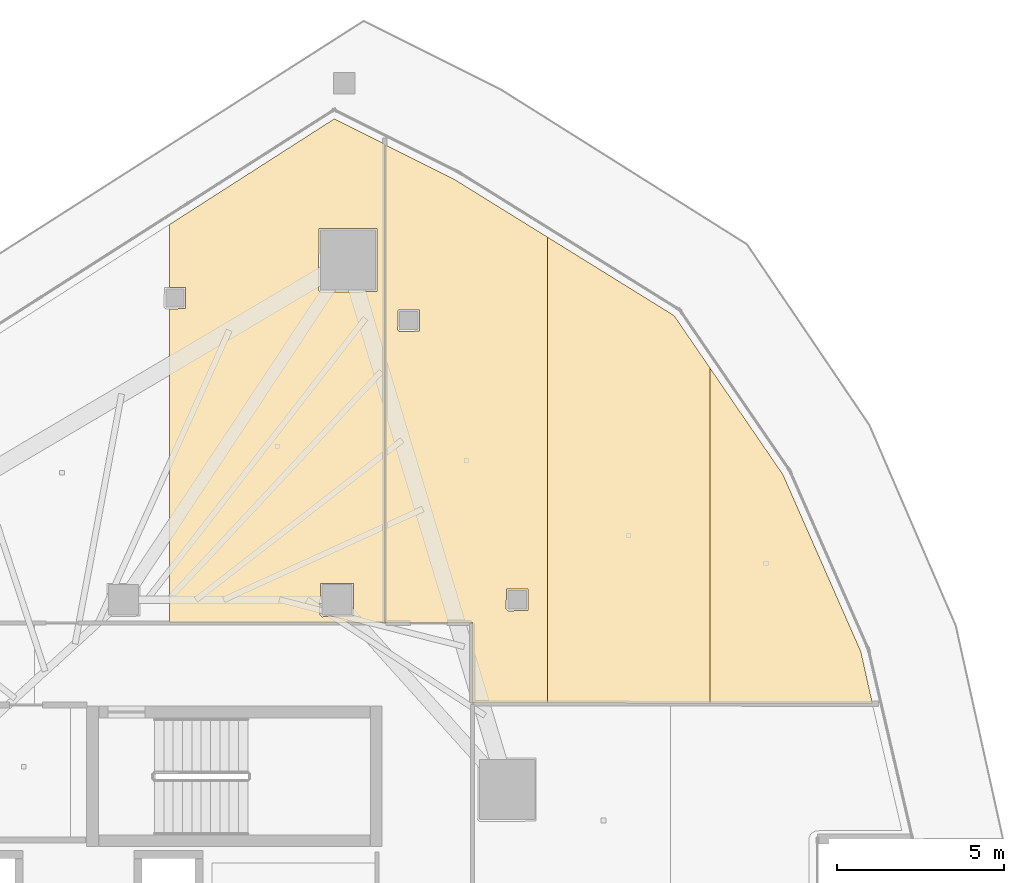
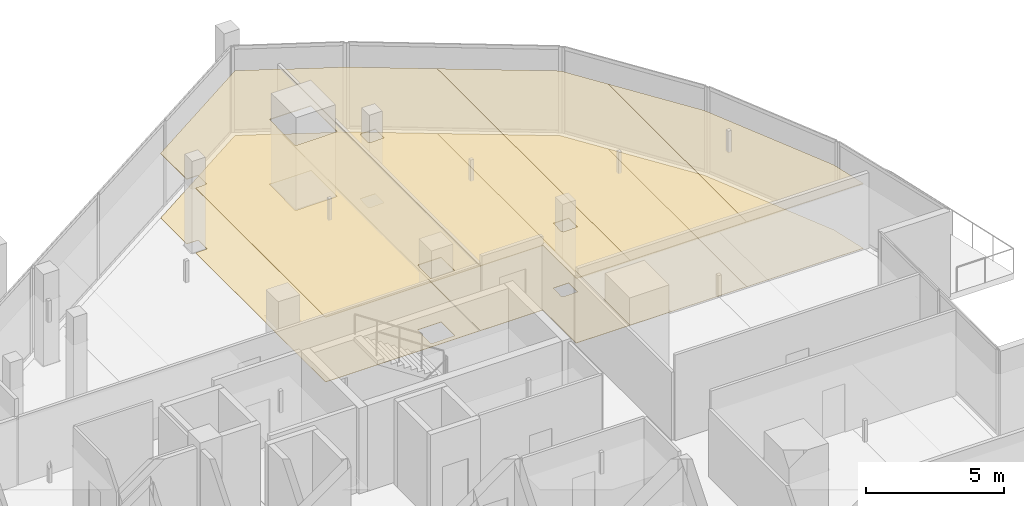
# One storey, part 30 of 30: 8 coverings.
"""IFC4 building model written with IfcOpenShell, lengths in metres."""

from ifc_helpers import new_model, si_unit, direction, frame, origin, place, context, subcontext, project, spatial, polyline, outline, extrude, material, layer, layer_set, type_object, element, save


model = new_model("IFC4")

# Units and contexts
model_context = context("Model", 3, precision=1e-05, world=origin(), true_north=direction((0.0, 1.0)))
body_context = subcontext(model_context, "Body", "Model", "MODEL_VIEW")
ifc_project = project(units=[si_unit("LENGTHUNIT", "METRE"), si_unit("AREAUNIT", "SQUARE_METRE"), si_unit("VOLUMEUNIT", "CUBIC_METRE"), si_unit("PLANEANGLEUNIT", "RADIAN"), si_unit("MASSUNIT", "GRAM", prefix="KILO")], contexts=[model_context])

# Site, building, storey
site_placement = place(None, origin())
site = spatial("IfcSite", under=ifc_project, at=site_placement, CompositionType="ELEMENT")
building_placement = place(site_placement, origin())
building = spatial("IfcBuilding", under=site, at=building_placement, Name="Qorvath Tower", CompositionType="ELEMENT")
storey_placement = place(building_placement, frame((0.0, 0.0, 217.199951171875)))
storey = spatial("IfcBuildingStorey", under=building, at=storey_placement, Name="L50", CompositionType="ELEMENT", Elevation=217.199951171875)

# Coverings
ifc_material_1 = material(Name="Acoustic mineral fibre ceiling tile", Category="gypsum")
ifc_layer_1 = layer(ifc_material_1, 0.030029296875)
ifc_layer_set_1 = layer_set([ifc_layer_1], Name="COV-CEIL")
covering_type_1 = type_object("IfcCoveringType", Name="COV-CEIL", PredefinedType="CEILING", material=ifc_layer_set_1)
covering_1_placement = place(storey_placement, frame((0.0, 0.0, 2.85009765625)))
element("IfcCovering", 1, at=covering_1_placement, inside=storey, type_object=covering_type_1, Name="L50 Suspended Acoustic Ceiling 015", PredefinedType="CEILING", context=body_context, shape_type="SweptSolid", body=[
    extrude(outline(polyline([(-15.774658203125, 25.11083984375), (-17.2822265625, 25.859375), (-22.21630859375, 22.697021484375), (-22.21630859375, 20.812255859375), (-21.73583984375, 20.812255859375), (-21.73583984375, 20.177490234375), (-22.21630859375, 20.163330078125), (-22.21630859375, 10.762939453125), (-15.772216796875, 10.762939453125), (-15.774658203125, 25.11083984375)]), holes=[polyline([(-17.756591796875, 20.72705078125), (-17.739013671875, 22.569580078125), (-16.00439453125, 22.569580078125), (-16.00439453125, 20.6845703125), (-17.69677734375, 20.6669921875), (-17.756591796875, 20.72705078125)]), polyline([(-17.7099609375, 11.0), (-17.6923828125, 11.9423828125), (-16.70751953125, 11.9423828125), (-16.70751953125, 10.95751953125), (-17.64990234375, 10.93994140625), (-17.7099609375, 11.0)])]), origin(), (0.0, 0.0, 1.0), 0.030029296875),
])
covering_2_placement = place(storey_placement, frame((0.0, 0.0, 2.85009765625)))
element("IfcCovering", 2, at=covering_2_placement, inside=storey, type_object=covering_type_1, Name="L50 Suspended Acoustic Ceiling 016", PredefinedType="CEILING", context=body_context, shape_type="SweptSolid", body=[
    extrude(outline(polyline([(-10.888671875, 8.351806640625), (-10.888671875, 22.315185546875), (-13.6796875, 24.044921875), (-15.7568359375, 25.08349609375), (-15.75439453125, 10.762939453125), (-13.138427734375, 10.761474609375), (-13.136962890625, 8.35498046875), (-10.888671875, 8.351806640625)]), holes=[polyline([(-12.135009765625, 11.175048828125), (-12.117431640625, 11.767333984375), (-11.482666015625, 11.767333984375), (-11.482666015625, 11.132568359375), (-12.074951171875, 11.114990234375), (-12.135009765625, 11.175048828125)]), polyline([(-15.381103515625, 19.543212890625), (-15.363525390625, 20.135498046875), (-14.728759765625, 20.135498046875), (-14.728759765625, 19.500732421875), (-15.321044921875, 19.483154296875), (-15.381103515625, 19.543212890625)])]), origin(), (0.0, 0.0, 1.0), 0.030029296875),
])
covering_3_placement = place(storey_placement, frame((0.0, 0.0, 2.85009765625)))
element("IfcCovering", 3, at=covering_3_placement, inside=storey, type_object=covering_type_1, Name="L50 Suspended Acoustic Ceiling 017", PredefinedType="CEILING", context=body_context, shape_type="SweptSolid", body=[
    extrude(outline(polyline([(-6.020751953125, 8.344482421875), (-6.020751953125, 18.392578125), (-7.097412109375, 19.96533203125), (-10.888671875, 22.315185546875), (-10.888671875, 8.351806640625), (-6.020751953125, 8.344482421875)])), origin(), (0.0, 0.0, 1.0), 0.030029296875),
])
covering_4_placement = place(storey_placement, frame((0.0, 0.0, 2.85009765625)))
element("IfcCovering", 4, at=covering_4_placement, inside=storey, type_object=covering_type_1, Name="L50 Suspended Acoustic Ceiling 018", PredefinedType="CEILING", context=body_context, shape_type="SweptSolid", body=[
    extrude(outline(polyline([(-1.15283203125, 8.33740234375), (-1.5009765625, 9.89453125), (-3.8359375, 15.200927734375), (-6.020751953125, 18.392578125), (-6.020751953125, 8.344482421875), (-1.15283203125, 8.33740234375)])), origin(), (0.0, 0.0, 1.0), 0.030029296875),
])
ifc_material_2 = material(Name="Low-VOC modular carpet tile", Category="textile")
ifc_layer_2 = layer(ifc_material_2, 0.014892578125)
ifc_layer_set_2 = layer_set([ifc_layer_2], Name="COV-FLOOR-CPT")
covering_type_2 = type_object("IfcCoveringType", Name="COV-FLOOR-CPT", PredefinedType="FLOORING", material=ifc_layer_set_2)
covering_5_placement = place(storey_placement, origin())
element("IfcCovering", 5, at=covering_5_placement, inside=storey, type_object=covering_type_2, Name="L50 Floor Finish 015", PredefinedType="FLOORING", context=body_context, shape_type="SweptSolid", body=[
    extrude(outline(polyline([(-15.774658203125, 25.11083984375), (-17.2822265625, 25.859375), (-22.21630859375, 22.697021484375), (-22.21630859375, 20.812255859375), (-21.73583984375, 20.812255859375), (-21.73583984375, 20.177490234375), (-22.21630859375, 20.163330078125), (-22.21630859375, 10.762939453125), (-15.772216796875, 10.762939453125), (-15.774658203125, 25.11083984375)]), holes=[polyline([(-17.756591796875, 20.72705078125), (-17.739013671875, 22.569580078125), (-16.00439453125, 22.569580078125), (-16.00439453125, 20.6845703125), (-17.69677734375, 20.6669921875), (-17.756591796875, 20.72705078125)]), polyline([(-17.7099609375, 11.0), (-17.6923828125, 11.9423828125), (-16.70751953125, 11.9423828125), (-16.70751953125, 10.95751953125), (-17.64990234375, 10.93994140625), (-17.7099609375, 11.0)])]), origin(), (0.0, 0.0, 1.0), 0.01513671875),
])
covering_6_placement = place(storey_placement, origin())
element("IfcCovering", 6, at=covering_6_placement, inside=storey, type_object=covering_type_2, Name="L50 Floor Finish 016", PredefinedType="FLOORING", context=body_context, shape_type="SweptSolid", body=[
    extrude(outline(polyline([(-10.888671875, 8.351806640625), (-10.888671875, 22.315185546875), (-13.6796875, 24.044921875), (-15.7568359375, 25.08349609375), (-15.75439453125, 10.762939453125), (-13.138427734375, 10.761474609375), (-13.136962890625, 8.35498046875), (-10.888671875, 8.351806640625)]), holes=[polyline([(-12.135009765625, 11.175048828125), (-12.117431640625, 11.767333984375), (-11.482666015625, 11.767333984375), (-11.482666015625, 11.132568359375), (-12.074951171875, 11.114990234375), (-12.135009765625, 11.175048828125)]), polyline([(-15.381103515625, 19.543212890625), (-15.363525390625, 20.135498046875), (-14.728759765625, 20.135498046875), (-14.728759765625, 19.500732421875), (-15.321044921875, 19.483154296875), (-15.381103515625, 19.543212890625)])]), origin(), (0.0, 0.0, 1.0), 0.01513671875),
])
covering_7_placement = place(storey_placement, origin())
element("IfcCovering", 7, at=covering_7_placement, inside=storey, type_object=covering_type_2, Name="L50 Floor Finish 017", PredefinedType="FLOORING", context=body_context, shape_type="SweptSolid", body=[
    extrude(outline(polyline([(-6.020751953125, 8.344482421875), (-6.020751953125, 18.392578125), (-7.097412109375, 19.96533203125), (-10.888671875, 22.315185546875), (-10.888671875, 8.351806640625), (-6.020751953125, 8.344482421875)])), origin(), (0.0, 0.0, 1.0), 0.01513671875),
])
covering_8_placement = place(storey_placement, origin())
element("IfcCovering", 8, at=covering_8_placement, inside=storey, type_object=covering_type_2, Name="L50 Floor Finish 018", PredefinedType="FLOORING", context=body_context, shape_type="SweptSolid", body=[
    extrude(outline(polyline([(-1.15283203125, 8.33740234375), (-1.5009765625, 9.89453125), (-3.8359375, 15.200927734375), (-6.020751953125, 18.392578125), (-6.020751953125, 8.344482421875), (-1.15283203125, 8.33740234375)])), origin(), (0.0, 0.0, 1.0), 0.01513671875),
])

save(model, "model.ifc")
